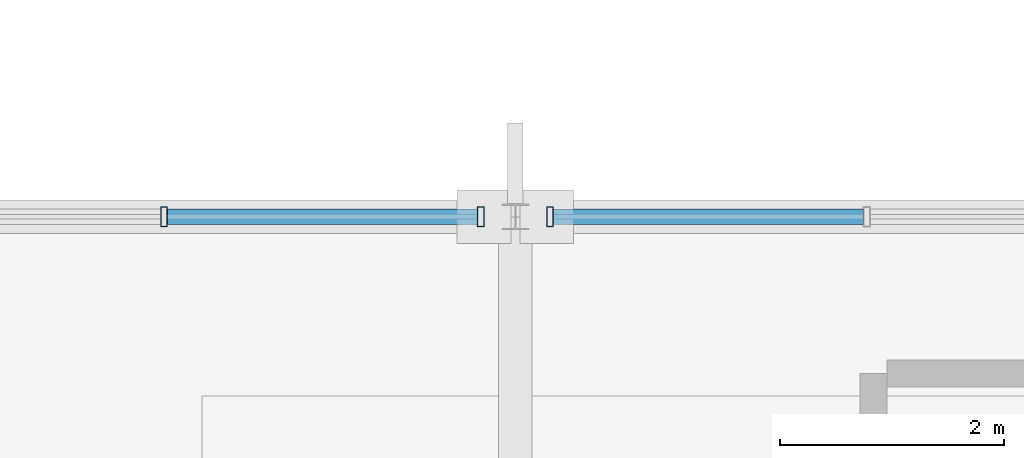
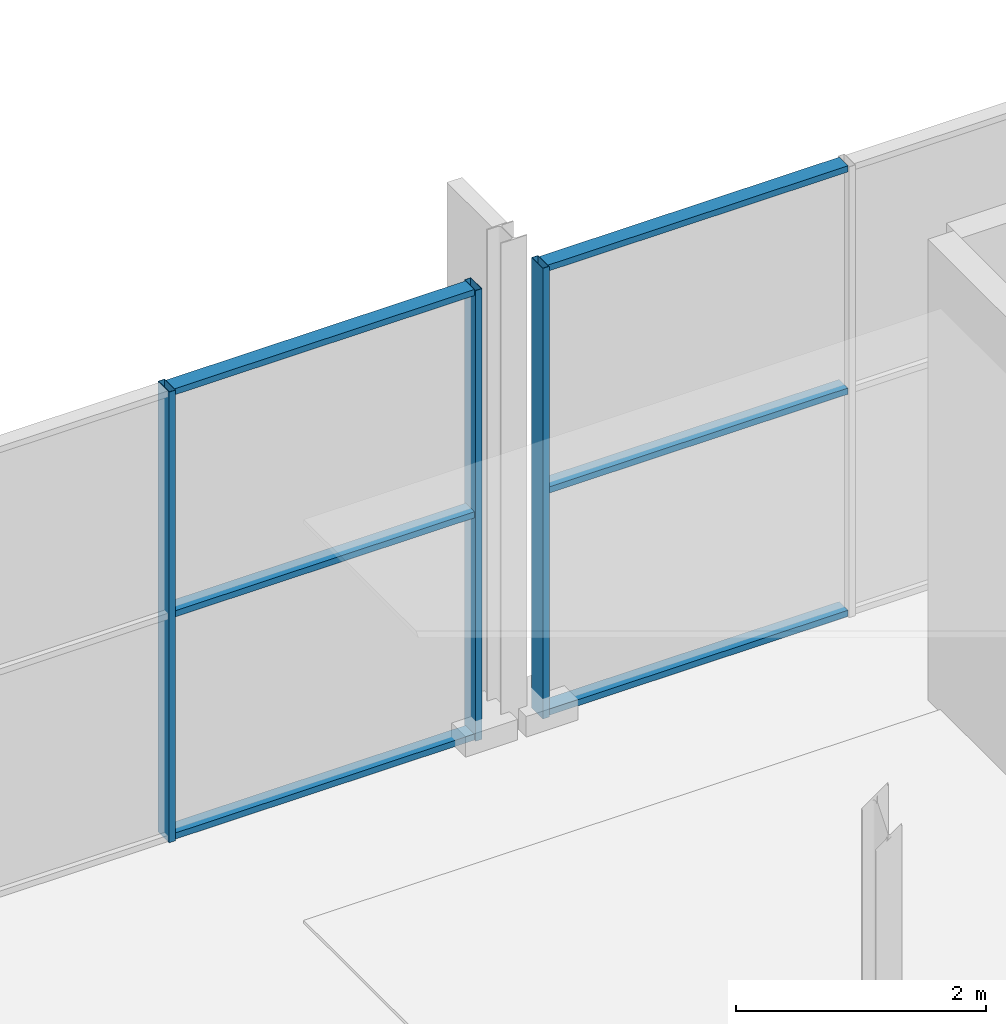
# One storey, part 63 of 159: 9 members, 2 elements without a shape of their own.
"""IFC4 building model written with IfcOpenShell, lengths in metres."""

from ifc_helpers import new_model, si_unit, direction, frame, origin, origin_2d, place, context, subcontext, project, spatial, hollow_rectangle, extrude, material, material_profile, profile_set, type_object, element, aggregate, save


model = new_model("IFC4")

# Units and contexts
model_context = context("Model", 3, precision=1e-05, world=origin(), true_north=direction((0.0, 1.0)))
body_context = subcontext(model_context, "Body", "Model", "MODEL_VIEW")
ifc_project = project(units=[si_unit("LENGTHUNIT", "METRE"), si_unit("AREAUNIT", "SQUARE_METRE"), si_unit("VOLUMEUNIT", "CUBIC_METRE"), si_unit("PLANEANGLEUNIT", "RADIAN"), si_unit("MASSUNIT", "GRAM", prefix="KILO")], contexts=[model_context])

# Site, building, storey
site_placement = place(None, origin())
site = spatial("IfcSite", under=ifc_project, at=site_placement, CompositionType="ELEMENT")
building_placement = place(site_placement, origin())
building = spatial("IfcBuilding", under=site, at=building_placement, Name="Merenkruunu Market Hall", CompositionType="ELEMENT")
storey_placement = place(building_placement, frame((0.0, 0.0, 5.39990234375)))
storey = spatial("IfcBuildingStorey", under=building, at=storey_placement, Name="L01", CompositionType="ELEMENT", Elevation=5.39990234375)

# Curtain wall, members
ifc_material = material(Name="Powder-coated aluminium", Category="aluminium")
curtain_wall_type = type_object("IfcCurtainWallType", Name="Glazed Curtain Wall CW05", PredefinedType="USERDEFINED", material=ifc_material)
curtain_wall_1_placement = place(storey_placement, origin())
curtain_wall_1 = element("IfcCurtainWall", 1, at=curtain_wall_1_placement, inside=storey, type_object=curtain_wall_type, Name="CW-L01-CWM02-185", ObjectType="GLAZED_FACADE", PredefinedType="USERDEFINED")
ifc_material_profile_1 = material_profile(ifc_material, hollow_rectangle(XDim=0.06005859375, YDim=0.179931640625, WallThickness=0.00390625, at=origin_2d()), Name="ALU 60x180x4")
ifc_profile_set_1 = profile_set([ifc_material_profile_1], Name="Powder-coated aluminium")
member_type_1 = type_object("IfcMemberType", Name="Curtain Wall Mullion CWM02", PredefinedType="MULLION", material=ifc_profile_set_1)
member_1_placement = place(storey_placement, frame((97.659912109375, 45.60009765625, 0.0), z_axis=(0.0, 0.0, 1.0), x_axis=(1.0, 0.0, 0.0)))
member_1 = element("IfcMember", 2, at=member_1_placement, type_object=member_type_1, Name="CW05 mullion 4", PredefinedType="MULLION", context=body_context, shape_type="SweptSolid", body=[
    extrude(hollow_rectangle(XDim=0.06005859375, YDim=0.179931640625, WallThickness=0.00390625, at=origin_2d()), origin(), (0.0, 0.0, 1.0), 4.400146484375),
])
member_2_placement = place(storey_placement, frame((100.489990234375, 45.60009765625, 0.0), z_axis=(0.0, 0.0, 1.0), x_axis=(1.0, 0.0, 0.0)))
member_2 = element("IfcMember", 3, at=member_2_placement, type_object=member_type_1, Name="CW05 mullion 5", PredefinedType="MULLION", context=body_context, shape_type="SweptSolid", body=[
    extrude(hollow_rectangle(XDim=0.06005859375, YDim=0.179931640625, WallThickness=0.00390625, at=origin_2d()), origin(), (0.0, 0.0, 1.0), 4.400146484375),
])

# Curtain wall, member
curtain_wall_2_placement = place(storey_placement, origin())
curtain_wall_2 = element("IfcCurtainWall", 4, at=curtain_wall_2_placement, inside=storey, type_object=curtain_wall_type, Name="CW-L01-CWM02-189", ObjectType="GLAZED_FACADE", PredefinedType="USERDEFINED")
member_3_placement = place(storey_placement, frame((101.110107421875, 45.60009765625, 0.0), z_axis=(0.0, 0.0, 1.0), x_axis=(1.0, 0.0, 0.0)))
member_3 = element("IfcMember", 5, at=member_3_placement, type_object=member_type_1, Name="CW05 mullion 1", PredefinedType="MULLION", context=body_context, shape_type="SweptSolid", body=[
    extrude(hollow_rectangle(XDim=0.06005859375, YDim=0.179931640625, WallThickness=0.00390625, at=origin_2d()), origin(), (0.0, 0.0, 1.0), 4.400146484375),
])

# Member
ifc_material_profile_2 = material_profile(ifc_material, hollow_rectangle(XDim=0.06005859375, YDim=0.139892578125, WallThickness=0.00390625, at=origin_2d()), Name="ALU 60x140x4")
ifc_profile_set_2 = profile_set([ifc_material_profile_2], Name="Powder-coated aluminium")
member_type_2 = type_object("IfcMemberType", Name="Curtain Wall Transom CWT02", PredefinedType="USERDEFINED", material=ifc_profile_set_2)
member_4_placement = place(storey_placement, frame((97.68994140625, 45.60009765625, 0.030029296875), z_axis=(1.0, 0.0, 0.0), x_axis=(0.0, 0.0, 1.0)))
member_4 = element("IfcMember", 6, at=member_4_placement, type_object=member_type_2, Name="CW05 transom 4.1", ObjectType="TRANSOM", PredefinedType="USERDEFINED", context=body_context, shape_type="SweptSolid", body=[
    extrude(hollow_rectangle(XDim=0.06005859375, YDim=0.139892578125, WallThickness=0.00390625, at=origin_2d()), origin(), (0.0, 0.0, 1.0), 2.77001953125),
])

member_5_placement = place(storey_placement, frame((97.68994140625, 45.60009765625, 2.2001953125), z_axis=(1.0, 0.0, 0.0), x_axis=(0.0, 0.0, 1.0)))
member_5 = element("IfcMember", 7, at=member_5_placement, type_object=member_type_2, Name="CW05 transom 4.2", ObjectType="TRANSOM", PredefinedType="USERDEFINED", context=body_context, shape_type="SweptSolid", body=[
    extrude(hollow_rectangle(XDim=0.06005859375, YDim=0.139892578125, WallThickness=0.00390625, at=origin_2d()), origin(), (0.0, 0.0, 1.0), 2.77001953125),
])

member_6_placement = place(storey_placement, frame((97.68994140625, 45.60009765625, 4.3701171875), z_axis=(1.0, 0.0, 0.0), x_axis=(0.0, 0.0, 1.0)))
member_6 = element("IfcMember", 8, at=member_6_placement, type_object=member_type_2, Name="CW05 transom 4.3", ObjectType="TRANSOM", PredefinedType="USERDEFINED", context=body_context, shape_type="SweptSolid", body=[
    extrude(hollow_rectangle(XDim=0.06005859375, YDim=0.139892578125, WallThickness=0.00390625, at=origin_2d()), origin(), (0.0, 0.0, 1.0), 2.77001953125),
])

aggregate(curtain_wall_1, [member_1, member_2, member_4, member_5, member_6])

member_7_placement = place(storey_placement, frame((101.139892578125, 45.60009765625, 0.030029296875), z_axis=(1.0, 0.0, 0.0), x_axis=(0.0, 0.0, 1.0)))
member_7 = element("IfcMember", 9, at=member_7_placement, type_object=member_type_2, Name="CW05 transom 1.1", ObjectType="TRANSOM", PredefinedType="USERDEFINED", context=body_context, shape_type="SweptSolid", body=[
    extrude(hollow_rectangle(XDim=0.06005859375, YDim=0.139892578125, WallThickness=0.00390625, at=origin_2d()), origin(), (0.0, 0.0, 1.0), 2.77001953125),
])

member_8_placement = place(storey_placement, frame((101.139892578125, 45.60009765625, 2.2001953125), z_axis=(1.0, 0.0, 0.0), x_axis=(0.0, 0.0, 1.0)))
member_8 = element("IfcMember", 10, at=member_8_placement, type_object=member_type_2, Name="CW05 transom 1.2", ObjectType="TRANSOM", PredefinedType="USERDEFINED", context=body_context, shape_type="SweptSolid", body=[
    extrude(hollow_rectangle(XDim=0.06005859375, YDim=0.139892578125, WallThickness=0.00390625, at=origin_2d()), origin(), (0.0, 0.0, 1.0), 2.77001953125),
])

member_9_placement = place(storey_placement, frame((101.139892578125, 45.60009765625, 4.3701171875), z_axis=(1.0, 0.0, 0.0), x_axis=(0.0, 0.0, 1.0)))
member_9 = element("IfcMember", 11, at=member_9_placement, type_object=member_type_2, Name="CW05 transom 1.3", ObjectType="TRANSOM", PredefinedType="USERDEFINED", context=body_context, shape_type="SweptSolid", body=[
    extrude(hollow_rectangle(XDim=0.06005859375, YDim=0.139892578125, WallThickness=0.00390625, at=origin_2d()), origin(), (0.0, 0.0, 1.0), 2.77001953125),
])

aggregate(curtain_wall_2, [member_3, member_7, member_8, member_9])

save(model, "model.ifc")
